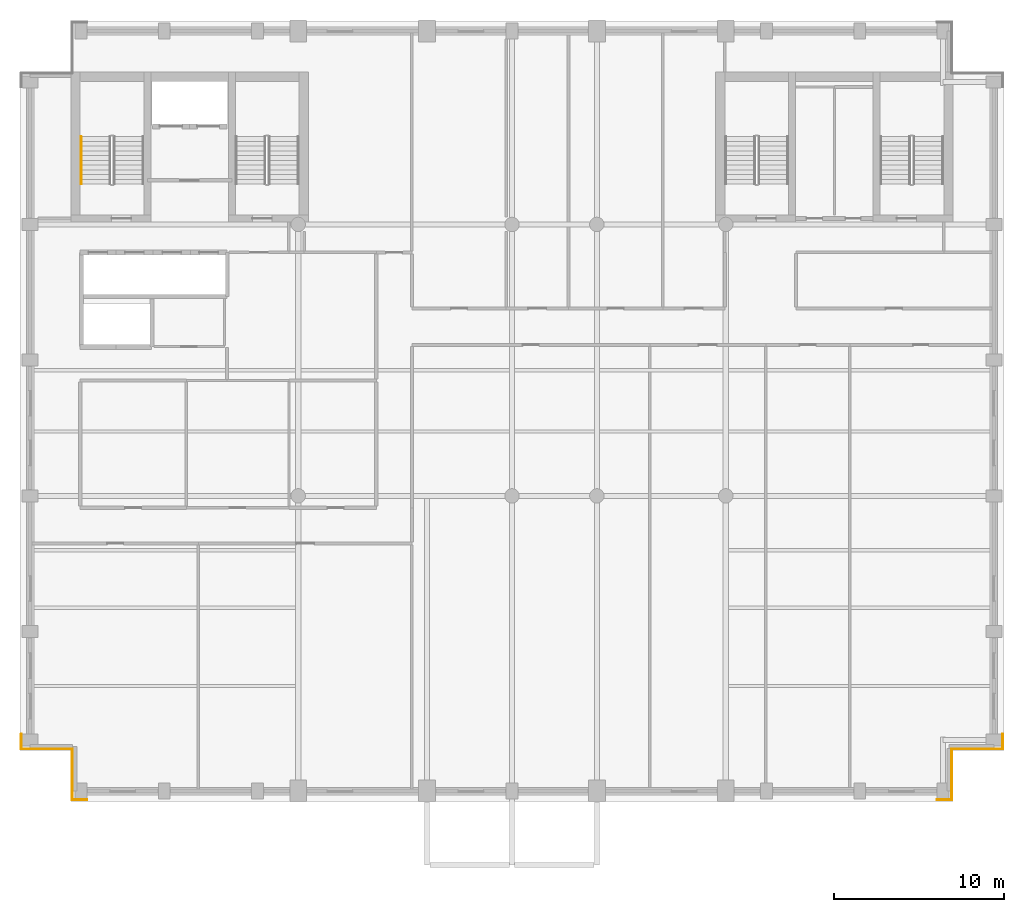
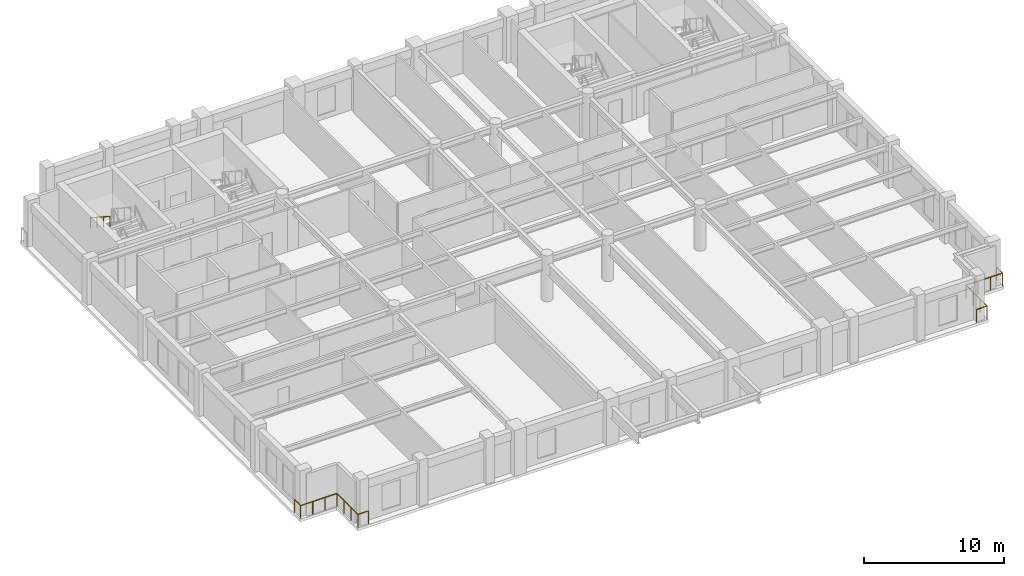
# One storey, part 7 of 9: 9 railings.
"""IFC4 building model written with IfcOpenShell, lengths in metres."""

from ifc_helpers import new_model, si_unit, direction, frame, origin, origin_2d, place, context, subcontext, project, spatial, circle, extrude, material, type_object, element, save


model = new_model("IFC4")

# Units and contexts
model_context = context("Model", 3, precision=1e-05, world=origin(), true_north=direction((0.0, 1.0)))
body_context = subcontext(model_context, "Body", "Model", "MODEL_VIEW")
ifc_project = project(units=[si_unit("LENGTHUNIT", "METRE"), si_unit("AREAUNIT", "SQUARE_METRE"), si_unit("VOLUMEUNIT", "CUBIC_METRE"), si_unit("PLANEANGLEUNIT", "RADIAN"), si_unit("MASSUNIT", "GRAM", prefix="KILO")], contexts=[model_context])

# Site, building, storey
site_placement = place(None, origin())
site = spatial("IfcSite", under=ifc_project, at=site_placement, CompositionType="ELEMENT")
building_placement = place(site_placement, origin())
building = spatial("IfcBuilding", under=site, at=building_placement, Name="Sulina Concourse Tower", CompositionType="ELEMENT")
storey_placement = place(building_placement, frame((0.0, 0.0, 276.60009765625)))
storey = spatial("IfcBuildingStorey", under=building, at=storey_placement, Name="L67", CompositionType="ELEMENT", Elevation=276.60009765625)

# Railings
ifc_material_1 = material(Name="Galvanised steel railing", Category="steel")
railing_type_1 = type_object("IfcRailingType", Name="Core Stair Steel Guardrail 1150mm", PredefinedType="GUARDRAIL", material=ifc_material_1)
railing_1_placement = place(storey_placement, frame((57.919921875, 3.949951171875, 0.0)))
element("IfcRailing", 1, at=railing_1_placement, inside=storey, type_object=railing_type_1, Name="L67 perimeter edge safety guardrail SE1", PredefinedType="GUARDRAIL", context=body_context, shape_type="SweptSolid", body=[
    extrude(circle(Radius=0.02392578125, at=origin_2d()), frame((0.0, 0.0, 1.1259765625), z_axis=(0.0, -1.0, 0.0), x_axis=(1.0, 0.0, 0.0)), (0.0, 0.0, 1.0), 0.869873046875),
    extrude(circle(Radius=0.02099609375, at=origin_2d()), origin(), (0.0, 0.0, 1.0), 1.101806640625),
    extrude(circle(Radius=0.02099609375, at=origin_2d()), frame((0.0, -0.869873046875, 0.0)), (0.0, 0.0, 1.0), 1.101806640625),
])
railing_2_placement = place(storey_placement, frame((57.919921875, 3.080078125, 0.0)))
element("IfcRailing", 2, at=railing_2_placement, inside=storey, type_object=railing_type_1, Name="L67 perimeter edge safety guardrail SE2", PredefinedType="GUARDRAIL", context=body_context, shape_type="SweptSolid", body=[
    extrude(circle(Radius=0.02392578125, at=origin_2d()), frame((0.0, 0.0, 1.1259765625), z_axis=(-1.0, 0.0, 0.0), x_axis=(0.0, -1.0, 0.0)), (0.0, 0.0, 1.0), 3.0),
    extrude(circle(Radius=0.02099609375, at=origin_2d()), origin(), (0.0, 0.0, 1.0), 1.101806640625),
    extrude(circle(Radius=0.02099609375, at=origin_2d()), frame((-1.0, 0.0, 0.0)), (0.0, 0.0, 1.0), 1.101806640625),
    extrude(circle(Radius=0.02099609375, at=origin_2d()), frame((-2.0, 0.0, 0.0)), (0.0, 0.0, 1.0), 1.101806640625),
    extrude(circle(Radius=0.02099609375, at=origin_2d()), frame((-3.0, 0.0, 0.0)), (0.0, 0.0, 1.0), 1.101806640625),
])
railing_3_placement = place(storey_placement, frame((54.919921875, 3.080078125, 0.0)))
element("IfcRailing", 3, at=railing_3_placement, inside=storey, type_object=railing_type_1, Name="L67 perimeter edge safety guardrail SE3", PredefinedType="GUARDRAIL", context=body_context, shape_type="SweptSolid", body=[
    extrude(circle(Radius=0.02392578125, at=origin_2d()), frame((0.0, 0.0, 1.1259765625), z_axis=(0.0, -1.0, 0.0), x_axis=(1.0, 0.0, 0.0)), (0.0, 0.0, 1.0), 3.0),
    extrude(circle(Radius=0.02099609375, at=origin_2d()), origin(), (0.0, 0.0, 1.0), 1.101806640625),
    extrude(circle(Radius=0.02099609375, at=origin_2d()), frame((0.0, -1.0, 0.0)), (0.0, 0.0, 1.0), 1.101806640625),
    extrude(circle(Radius=0.02099609375, at=origin_2d()), frame((0.0, -2.0, 0.0)), (0.0, 0.0, 1.0), 1.101806640625),
    extrude(circle(Radius=0.02099609375, at=origin_2d()), frame((0.0, -3.0, 0.0)), (0.0, 0.0, 1.0), 1.101806640625),
])
for number, where, name in (
    (4, (54.919921875, 0.080078125, 0.0), "L67 perimeter edge safety guardrail SE4"),
    (5, (3.949951171875, 0.080078125, 0.0), "L67 perimeter edge safety guardrail SW1"),
):
    element("IfcRailing", number, at=place(storey_placement, frame(where)), inside=storey, type_object=railing_type_1, Name=name, PredefinedType="GUARDRAIL", context=body_context, shape_type="SweptSolid", body=[
        extrude(circle(Radius=0.02392578125, at=origin_2d()), frame((0.0, 0.0, 1.1259765625), z_axis=(-1.0, 0.0, 0.0), x_axis=(0.0, -1.0, 0.0)), (0.0, 0.0, 1.0), 0.869873046875),
        extrude(circle(Radius=0.02099609375, at=origin_2d()), origin(), (0.0, 0.0, 1.0), 1.101806640625),
        extrude(circle(Radius=0.02099609375, at=origin_2d()), frame((-0.869873046875, 0.0, 0.0)), (0.0, 0.0, 1.0), 1.101806640625),
    ])
railing_4_placement = place(storey_placement, frame((3.080078125, 0.080078125, 0.0)))
element("IfcRailing", 6, at=railing_4_placement, inside=storey, type_object=railing_type_1, Name="L67 perimeter edge safety guardrail SW2", PredefinedType="GUARDRAIL", context=body_context, shape_type="SweptSolid", body=[
    extrude(circle(Radius=0.02392578125, at=origin_2d()), frame((0.0, 0.0, 1.1259765625), z_axis=(0.0, 1.0, 0.0), x_axis=(-1.0, 0.0, 0.0)), (0.0, 0.0, 1.0), 3.0),
    extrude(circle(Radius=0.02099609375, at=origin_2d()), origin(), (0.0, 0.0, 1.0), 1.101806640625),
    extrude(circle(Radius=0.02099609375, at=origin_2d()), frame((0.0, 1.0, 0.0)), (0.0, 0.0, 1.0), 1.101806640625),
    extrude(circle(Radius=0.02099609375, at=origin_2d()), frame((0.0, 2.0, 0.0)), (0.0, 0.0, 1.0), 1.101806640625),
    extrude(circle(Radius=0.02099609375, at=origin_2d()), frame((0.0, 3.0, 0.0)), (0.0, 0.0, 1.0), 1.101806640625),
])
railing_5_placement = place(storey_placement, frame((3.080078125, 3.080078125, 0.0)))
element("IfcRailing", 7, at=railing_5_placement, inside=storey, type_object=railing_type_1, Name="L67 perimeter edge safety guardrail SW3", PredefinedType="GUARDRAIL", context=body_context, shape_type="SweptSolid", body=[
    extrude(circle(Radius=0.02392578125, at=origin_2d()), frame((0.0, 0.0, 1.1259765625), z_axis=(-1.0, 0.0, 0.0), x_axis=(0.0, -1.0, 0.0)), (0.0, 0.0, 1.0), 3.0),
    extrude(circle(Radius=0.02099609375, at=origin_2d()), origin(), (0.0, 0.0, 1.0), 1.101806640625),
    extrude(circle(Radius=0.02099609375, at=origin_2d()), frame((-1.0, 0.0, 0.0)), (0.0, 0.0, 1.0), 1.101806640625),
    extrude(circle(Radius=0.02099609375, at=origin_2d()), frame((-2.0, 0.0, 0.0)), (0.0, 0.0, 1.0), 1.101806640625),
    extrude(circle(Radius=0.02099609375, at=origin_2d()), frame((-3.0, 0.0, 0.0)), (0.0, 0.0, 1.0), 1.101806640625),
])
railing_6_placement = place(storey_placement, frame((0.080078125, 3.080078125, 0.0)))
element("IfcRailing", 8, at=railing_6_placement, inside=storey, type_object=railing_type_1, Name="L67 perimeter edge safety guardrail SW4", PredefinedType="GUARDRAIL", context=body_context, shape_type="SweptSolid", body=[
    extrude(circle(Radius=0.02392578125, at=origin_2d()), frame((0.0, 0.0, 1.1259765625), z_axis=(0.0, 1.0, 0.0), x_axis=(-1.0, 0.0, 0.0)), (0.0, 0.0, 1.0), 0.869873046875),
    extrude(circle(Radius=0.02099609375, at=origin_2d()), origin(), (0.0, 0.0, 1.0), 1.101806640625),
    extrude(circle(Radius=0.02099609375, at=origin_2d()), frame((0.0, 0.869873046875, 0.0)), (0.0, 0.0, 1.0), 1.101806640625),
])
ifc_material_2 = material(Name="Galvanised steel railing", Category="steel")
railing_type_2 = type_object("IfcRailingType", Name="Stair Wall Steel Handrail 920mm", PredefinedType="HANDRAIL", material=ifc_material_2)
railing_7_placement = place(storey_placement, frame((3.60498046875, 39.175048828125, 2.181640625)))
element("IfcRailing", 9, at=railing_7_placement, inside=storey, type_object=railing_type_2, Name="L67 ST-1 stair handrail 2", PredefinedType="HANDRAIL", context=body_context, shape_type="SweptSolid", body=[
    extrude(circle(Radius=0.02392578125, at=origin_2d()), frame((0.0, 0.0, 0.89599609375), z_axis=(0.0, -0.838672427954, 0.544636170843), x_axis=(1.0, 0.0, 0.0)), (0.0, 0.0, 1.0), 3.338623046875),
    extrude(circle(Radius=0.02099609375, at=origin_2d()), origin(), (0.0, 0.0, 1.0), 0.871826171875),
    extrude(circle(Radius=0.02099609375, at=origin_2d()), frame((0.0, -0.933349609375, 0.606201171875)), (0.0, 0.0, 1.0), 0.871826171875),
    extrude(circle(Radius=0.02099609375, at=origin_2d()), frame((0.0, -1.86669921875, 1.212158203125)), (0.0, 0.0, 1.0), 0.871826171875),
    extrude(circle(Radius=0.02099609375, at=origin_2d()), frame((0.0, -2.800048828125, 1.818359375)), (0.0, 0.0, 1.0), 0.871826171875),
])

save(model, "model.ifc")
